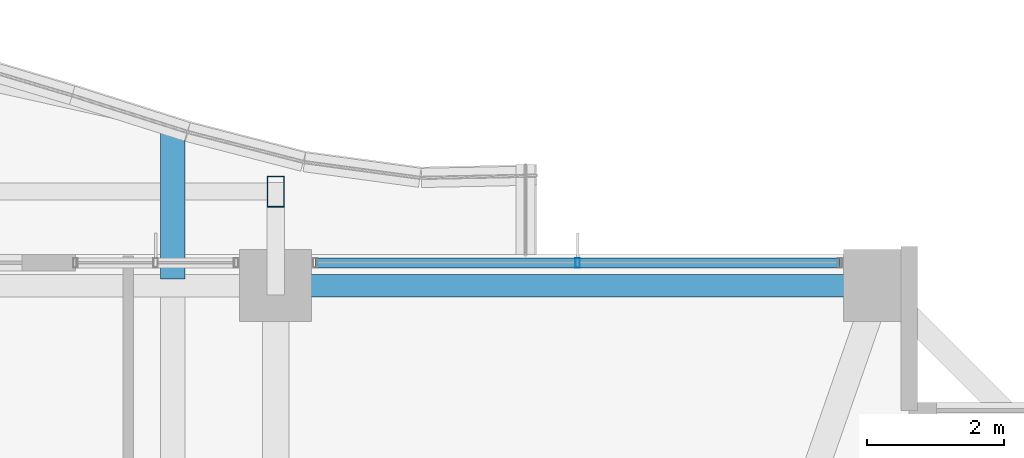
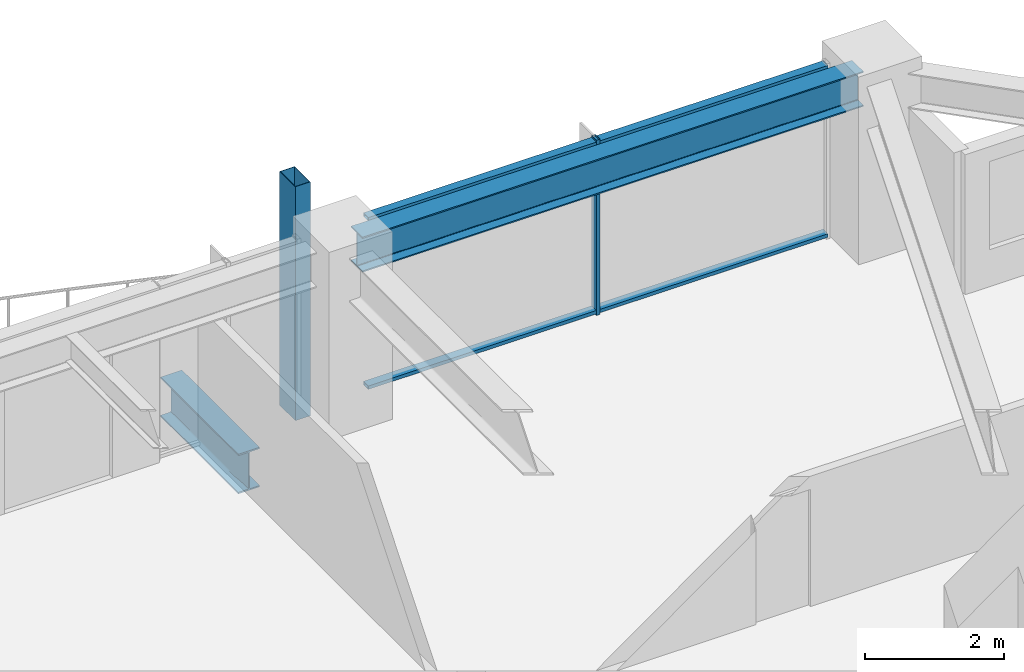
# One storey, part 23 of 38: 4 members, 2 beams, 1 element without a shape of its own.
"""IFC4 building model written with IfcOpenShell, lengths in metres."""

import ifcopenshell
import ifcopenshell.guid

model = None  # the IFC model being written
_history = None  # IfcOwnerHistory: only IFC2X3 demands one
_inside = {}  # id of a spatial element -> (the spatial element, [elements in it])
_under = {}  # id of a project, library or spatial element -> (it, [spatial elements below it])
_declared = {}  # id of a project -> (the project, [libraries it declares])
_typed = {}  # id of a type object -> (the type object, [elements of that type])
_made_of = {}  # id of a material, layer set ... -> (it, [elements and type objects made of it])


def new_model(schema):
    """Start an empty IFC model of exactly this schema.

    Asked for "IFC4X3", IfcOpenShell would pick the latest addendum, in which some entities
    have other attributes; the version numbers below select the first issue.
    IFC2X3 requires an IfcOwnerHistory on every rooted entity: one is made here for all.
    """
    global model, _history
    if schema == "IFC4X3":
        model = ifcopenshell.file(schema_version=(4, 3, 0, 0))
    else:
        model = ifcopenshell.file(schema=schema)
    _inside.clear()
    _under.clear()
    _declared.clear()
    _typed.clear()
    _made_of.clear()
    _history = None
    if model.schema == "IFC2X3":
        org = make("IfcOrganization", Name="unknown")
        user = make(
            "IfcPersonAndOrganization",
            ThePerson=make("IfcPerson", FamilyName="unknown"),
            TheOrganization=org,
        )
        app = make(
            "IfcApplication",
            ApplicationDeveloper=org,
            Version="unknown",
            ApplicationFullName="unknown",
            ApplicationIdentifier="unknown",
        )
        _history = make(
            "IfcOwnerHistory",
            OwningUser=user,
            OwningApplication=app,
            ChangeAction="ADDED",
            CreationDate=0,
        )
    return model


def make(cls, **values):
    """One entity of the class cls with the attributes given. An attribute that is None is left unset."""
    return model.create_entity(
        cls, **{name: value for name, value in values.items() if value is not None}
    )


def rooted(cls, **values):
    """An entity with a GlobalId (a new one), such as an element, a storey or a relation."""
    return make(cls, GlobalId=ifcopenshell.guid.new(), OwnerHistory=_history, **values)


def si_unit(unit_type, name, prefix=None):
    """IfcSIUnit, for example si_unit("LENGTHUNIT", "METRE", prefix="MILLI")."""
    return make("IfcSIUnit", UnitType=unit_type, Prefix=prefix, Name=name)


def assignment(units):
    """IfcUnitAssignment: the units of a project."""
    return None if units is None else make("IfcUnitAssignment", Units=units)


def point(xyz):
    """IfcCartesianPoint."""
    return None if xyz is None else make("IfcCartesianPoint", Coordinates=xyz)


def direction(xyz):
    """IfcDirection."""
    return None if xyz is None else make("IfcDirection", DirectionRatios=xyz)


def frame(location, z_axis=None, x_axis=None):
    """IfcAxis2Placement3D, a coordinate frame: its origin and axes. An axis left out is left unset."""
    return make(
        "IfcAxis2Placement3D",
        Location=point(location),
        Axis=direction(z_axis),
        RefDirection=direction(x_axis),
    )


def frame_2d(location, x_axis=None):
    """IfcAxis2Placement2D, a coordinate frame in the plane: its origin and x axis."""
    return make(
        "IfcAxis2Placement2D", Location=point(location), RefDirection=direction(x_axis)
    )


def origin():
    """The frame at (0, 0, 0) with its axes left unset."""
    return frame((0.0, 0.0, 0.0))


def origin_2d():
    """The frame at (0, 0) in the plane with its x axis left unset."""
    return frame_2d((0.0, 0.0))


def place(relative_to, where):
    """IfcLocalPlacement: puts the frame where relative to a parent placement (None: the world)."""
    return make(
        "IfcLocalPlacement", PlacementRelTo=relative_to, RelativePlacement=where
    )


def context(
    kind, dimensions, precision=None, world=None, true_north=None, identifier=None
):
    """IfcGeometricRepresentationContext, for example the 3D "Model" context."""
    return make(
        "IfcGeometricRepresentationContext",
        ContextIdentifier=identifier,
        ContextType=kind,
        CoordinateSpaceDimension=dimensions,
        Precision=precision,
        WorldCoordinateSystem=world,
        TrueNorth=true_north,
    )


def subcontext(parent, identifier, kind, view, scale=None):
    """IfcGeometricRepresentationSubContext, for example "Body" below "Model"."""
    return make(
        "IfcGeometricRepresentationSubContext",
        ContextIdentifier=identifier,
        ContextType=kind,
        ParentContext=parent,
        TargetScale=scale,
        TargetView=view,
    )


def project(units=None, contexts=None):
    """IfcProject with its units and contexts."""
    return rooted(
        "IfcProject",
        Name="project",
        RepresentationContexts=contexts,
        UnitsInContext=assignment(units),
    )


def spatial(cls, under=None, at=None, **own):
    """A site, building, storey or space (cls), placed at a placement, below another one or the project."""
    s = rooted(cls, ObjectPlacement=at, **own)
    if under is not None:
        _under.setdefault(under.id(), (under, []))[1].append(s)
    return s


def profile(cls, at=None, kind="AREA", **sizes):
    """A parametric profile (cls). Its sizes go by their IFC names, for example OverallWidth=200.0."""
    return make(cls, ProfileType=kind, Position=at, **sizes)


def hollow_rectangle(**sizes):
    """IfcRectangleHollowProfileDef."""
    return profile("IfcRectangleHollowProfileDef", **sizes)


def i_section(**sizes):
    """IfcIShapeProfileDef."""
    return profile("IfcIShapeProfileDef", **sizes)


def extrude(swept, where, along, depth):
    """IfcExtrudedAreaSolid: the profile swept, set in the frame where, extruded along a direction by depth."""
    return make(
        "IfcExtrudedAreaSolid",
        SweptArea=swept,
        Position=where,
        ExtrudedDirection=direction(along),
        Depth=depth,
    )


def shape(context_of_items, identifier, shape_type, items):
    """IfcShapeRepresentation: the items that make up one representation, for example the "Body"."""
    return make(
        "IfcShapeRepresentation",
        ContextOfItems=context_of_items,
        RepresentationIdentifier=identifier,
        RepresentationType=shape_type,
        Items=items,
    )


def material(Name=None, Category=None):
    """IfcMaterial."""
    return make("IfcMaterial", Name=Name, Category=Category)


def material_profile(
    of_material, cross_section, Name=None, Category=None, Priority=None
):
    """IfcMaterialProfile: a cross section and its material."""
    return make(
        "IfcMaterialProfile",
        Name=Name,
        Material=of_material,
        Profile=cross_section,
        Priority=Priority,
        Category=Category,
    )


def profile_set(profiles, Name=None, composite=None):
    """IfcMaterialProfileSet."""
    return make(
        "IfcMaterialProfileSet",
        Name=Name,
        MaterialProfiles=profiles,
        CompositeProfile=composite,
    )


def made_of(thing, what):
    """Note that an element or type object is made of a material, layer set ...; save() writes the relation."""
    if what is not None:
        _made_of.setdefault(what.id(), (what, []))[1].append(thing)
    return thing


def type_object(cls, material=None, **own):
    """A type object (cls), such as IfcWallType, which elements share."""
    return made_of(rooted(cls, **own), material)


def element(
    cls,
    number,
    at=None,
    inside=None,
    cuts=None,
    type_object=None,
    material=None,
    context=None,
    identifier="Body",
    shape_type=None,
    held_by="IfcProductDefinitionShape",
    body=None,
    shapes=None,
    **own,
):
    """One element of the class cls, such as IfcWall. Its Tag is "e" and its number.

    at: its placement. inside: the storey or other place that contains it. cuts: it is an
    opening in that element (IfcRelVoidsElement). A single representation is given by context,
    identifier, shape_type and body (its items); several are given by shapes. held_by: the class
    of the entity that holds the representations. save() writes the other relations.
    """
    e = rooted(cls, Tag="e%d" % number, ObjectPlacement=at, **own)
    if body is not None:
        shapes = [shape(context, identifier, shape_type, body)]
    if shapes is not None:
        e.Representation = make(held_by, Representations=shapes)
    if inside is not None:
        _inside.setdefault(inside.id(), (inside, []))[1].append(e)
    if cuts is not None:
        rooted(
            "IfcRelVoidsElement", RelatingBuildingElement=cuts, RelatedOpeningElement=e
        )
    if type_object is not None:
        _typed.setdefault(type_object.id(), (type_object, []))[1].append(e)
    return made_of(e, material)


def aggregate(whole, parts):
    """IfcRelAggregates: a whole, such as a stair, and the parts it consists of."""
    return rooted("IfcRelAggregates", RelatingObject=whole, RelatedObjects=parts)


def save(model, path):
    """Write the relations noted so far, then the file.

    IfcRelAggregates (storeys below a building ...), IfcRelContainedInSpatialStructure (elements
    in a storey), IfcRelDefinesByType, IfcRelAssociatesMaterial and IfcRelDeclares: one each for
    every whole, place, type object, material and project.
    """
    for whole, parts in _under.values():
        aggregate(whole, parts)
    for where, things in _inside.values():
        rooted(
            "IfcRelContainedInSpatialStructure",
            RelatedElements=things,
            RelatingStructure=where,
        )
    for kind, things in _typed.values():
        rooted("IfcRelDefinesByType", RelatedObjects=things, RelatingType=kind)
    for what, things in _made_of.values():
        rooted("IfcRelAssociatesMaterial", RelatedObjects=things, RelatingMaterial=what)
    for by, libraries in _declared.values():
        rooted("IfcRelDeclares", RelatingContext=by, RelatedDefinitions=libraries)
    model.write(path)


model = new_model("IFC4")

# Units and contexts
model_context = context("Model", 3, precision=1e-05, world=origin(), true_north=direction((0.0, 1.0)))
body_context = subcontext(model_context, "Body", "Model", "MODEL_VIEW")
ifc_project = project(units=[si_unit("LENGTHUNIT", "METRE"), si_unit("AREAUNIT", "SQUARE_METRE"), si_unit("VOLUMEUNIT", "CUBIC_METRE"), si_unit("PLANEANGLEUNIT", "RADIAN"), si_unit("MASSUNIT", "GRAM", prefix="KILO")], contexts=[model_context])

# Site, building, storey
site_placement = place(None, origin())
site = spatial("IfcSite", under=ifc_project, at=site_placement, CompositionType="ELEMENT")
building_placement = place(site_placement, origin())
building = spatial("IfcBuilding", under=site, at=building_placement, Name="Kolvaren Belvedere", CompositionType="ELEMENT")
storey_placement = place(building_placement, frame((0.0, 0.0, 72.199951171875)))
storey = spatial("IfcBuildingStorey", under=building, at=storey_placement, Name="L20", CompositionType="ELEMENT", Elevation=72.199951171875)

# Beams
ifc_material_1 = material(Name="Structural steel ASTM A992 Grade 50", Category="steel")
ifc_material_profile_1 = material_profile(ifc_material_1, i_section(OverallWidth=0.35498046875, OverallDepth=0.696044921875, WebThickness=0.015380859375, FlangeThickness=0.02490234375, FilletRadius=0.02197265625, at=origin_2d()), Name="W27X146")
ifc_profile_set_1 = profile_set([ifc_material_profile_1], Name="Structural steel ASTM A992 Grade 50")
beam_type_1 = type_object("IfcBeamType", Name="BM-CANT-BAL", PredefinedType="BEAM", material=ifc_profile_set_1)
beam_1_placement = place(storey_placement, frame((3.10009765625, 20.044921875, -0.56787109375), z_axis=(0.0, 1.0, 0.0), x_axis=(-1.0, 0.0, 0.0)))
element("IfcBeam", 1, at=beam_1_placement, inside=storey, type_object=beam_type_1, Name="L20 Planted Balcony Cantilever BAL-N-2", PredefinedType="BEAM", context=body_context, shape_type="SweptSolid", body=[
    extrude(i_section(OverallWidth=0.35498046875, OverallDepth=0.696044921875, WebThickness=0.015380859375, FlangeThickness=0.02490234375, FilletRadius=0.02197265625, at=origin_2d()), origin(), (0.0, 0.0, 1.0), 2.239990234375),
])
ifc_material_2 = material(Name="Structural steel ASTM A992 Grade 50", Category="steel")
ifc_material_profile_2 = material_profile(ifc_material_2, i_section(OverallWidth=0.324951171875, OverallDepth=0.615966796875, WebThickness=0.013916015625, FlangeThickness=0.021484375, FilletRadius=0.02001953125, at=origin_2d()), Name="W24X117")
ifc_profile_set_2 = profile_set([ifc_material_profile_2], Name="Structural steel ASTM A992 Grade 50")
beam_type_2 = type_object("IfcBeamType", Name="BM-SPAN-W24X117", PredefinedType="SPANDREL", material=ifc_profile_set_2)
beam_2_placement = place(storey_placement, frame((13.163818359375, 19.949951171875, 2.77197265625), z_axis=(-1.0, 0.0, 0.0), x_axis=(0.0, -1.0, 0.0)))
element("IfcBeam", 2, at=beam_2_placement, inside=storey, type_object=beam_type_2, Name="L20 Perimeter Spandrel N4-N3", PredefinedType="SPANDREL", context=body_context, shape_type="SweptSolid", body=[
    extrude(i_section(OverallWidth=0.324951171875, OverallDepth=0.615966796875, WebThickness=0.013916015625, FlangeThickness=0.021484375, FilletRadius=0.02001953125, at=origin_2d()), origin(), (0.0, 0.0, 1.0), 8.32763671875),
])

# Curtain wall, members
ifc_material_3 = material(Name="Anodised pale-metal aluminium AA 6063-T6", Category="aluminium")
curtain_wall_type = type_object("IfcCurtainWallType", Name="CW-Z2-MID", PredefinedType="NOTDEFINED", material=ifc_material_3)
curtain_wall_placement = place(storey_placement, origin())
curtain_wall = element("IfcCurtainWall", 3, at=curtain_wall_placement, inside=storey, type_object=curtain_wall_type, Name="L20 Unitised Curtain Wall FCW-L20-N2-B2", PredefinedType="NOTDEFINED")
ifc_material_4 = material(Name="Anodised pale-metal aluminium AA 6063-T6", Category="aluminium")
ifc_material_profile_3 = material_profile(ifc_material_4, hollow_rectangle(XDim=0.06494140625, YDim=0.139892578125, WallThickness=0.00390625, at=origin_2d()), Name="ALU-MUL-140X65")
ifc_profile_set_3 = profile_set([ifc_material_profile_3], Name="Anodised pale-metal aluminium AA 6063-T6")
member_type_1 = type_object("IfcMemberType", Name="CW-MUL-140", PredefinedType="MULLION", material=ifc_profile_set_3)
member_1_placement = place(storey_placement, frame((9.0, 20.280029296875, 0.0), z_axis=(0.0, 0.0, 1.0), x_axis=(1.0, 0.0, 0.0)))
member_1 = element("IfcMember", 4, at=member_1_placement, type_object=member_type_1, Name="FCW-L20-N2-B2 Unitised Mullion 2", PredefinedType="MULLION", context=body_context, shape_type="SweptSolid", body=[
    extrude(hollow_rectangle(XDim=0.06494140625, YDim=0.139892578125, WallThickness=0.00390625, at=origin_2d()), origin(), (0.0, 0.0, 1.0), 3.080078125),
])
ifc_material_5 = material(Name="Anodised pale-metal aluminium AA 6063-T6", Category="aluminium")
ifc_material_profile_4 = material_profile(ifc_material_5, hollow_rectangle(XDim=0.06005859375, YDim=0.139892578125, WallThickness=0.00390625, at=origin_2d()), Name="ALU-TRN-140X60")
ifc_profile_set_4 = profile_set([ifc_material_profile_4], Name="Anodised pale-metal aluminium AA 6063-T6")
member_type_2 = type_object("IfcMemberType", Name="CW-TRN-140", PredefinedType="USERDEFINED", material=ifc_profile_set_4)
member_2_placement = place(storey_placement, frame((5.177490234375, 20.280029296875, 0.06005859375), z_axis=(1.0, 0.0, 0.0), x_axis=(0.0, 0.0, 1.0)))
member_2 = element("IfcMember", 5, at=member_2_placement, type_object=member_type_2, Name="FCW-L20-N2-B2 Sill Transom", ObjectType="TRANSOM", PredefinedType="USERDEFINED", context=body_context, shape_type="SweptSolid", body=[
    extrude(hollow_rectangle(XDim=0.06005859375, YDim=0.139892578125, WallThickness=0.00390625, at=origin_2d()), origin(), (0.0, 0.0, 1.0), 7.64501953125),
])
member_3_placement = place(storey_placement, frame((5.177490234375, 20.280029296875, 3.02001953125), z_axis=(1.0, 0.0, 0.0), x_axis=(0.0, 0.0, 1.0)))
member_3 = element("IfcMember", 6, at=member_3_placement, type_object=member_type_2, Name="FCW-L20-N2-B2 Head Transom", ObjectType="TRANSOM", PredefinedType="USERDEFINED", context=body_context, shape_type="SweptSolid", body=[
    extrude(hollow_rectangle(XDim=0.06005859375, YDim=0.139892578125, WallThickness=0.00390625, at=origin_2d()), origin(), (0.0, 0.0, 1.0), 7.64501953125),
])
aggregate(curtain_wall, [member_1, member_2, member_3])

# Member
ifc_material_6 = material(Name="Anodised pale-metal aluminium AA 6063-T6", Category="aluminium")
ifc_material_profile_5 = material_profile(ifc_material_6, hollow_rectangle(XDim=0.25, YDim=0.449951171875, WallThickness=0.008544921875, at=origin_2d()), Name="ALU-PF-450X250")
ifc_profile_set_5 = profile_set([ifc_material_profile_5], Name="Anodised pale-metal aluminium AA 6063-T6")
member_type_3 = type_object("IfcMemberType", Name="PF-FRAME-450", PredefinedType="USERDEFINED", material=ifc_profile_set_5)
member_4_placement = place(storey_placement, frame((4.60009765625, 21.320068359375, -0.81005859375), z_axis=(0.0, 0.0, 1.0), x_axis=(1.0, 0.0, 0.0)))
element("IfcMember", 7, at=member_4_placement, inside=storey, type_object=member_type_3, Name="L20 Outboard Picture-Frame Vertical N2", ObjectType="PICTURE FRAME FIN", PredefinedType="USERDEFINED", context=body_context, shape_type="SweptSolid", body=[
    extrude(hollow_rectangle(XDim=0.25, YDim=0.449951171875, WallThickness=0.008544921875, at=origin_2d()), origin(), (0.0, 0.0, 1.0), 4.110107421875),
])

save(model, "model.ifc")
